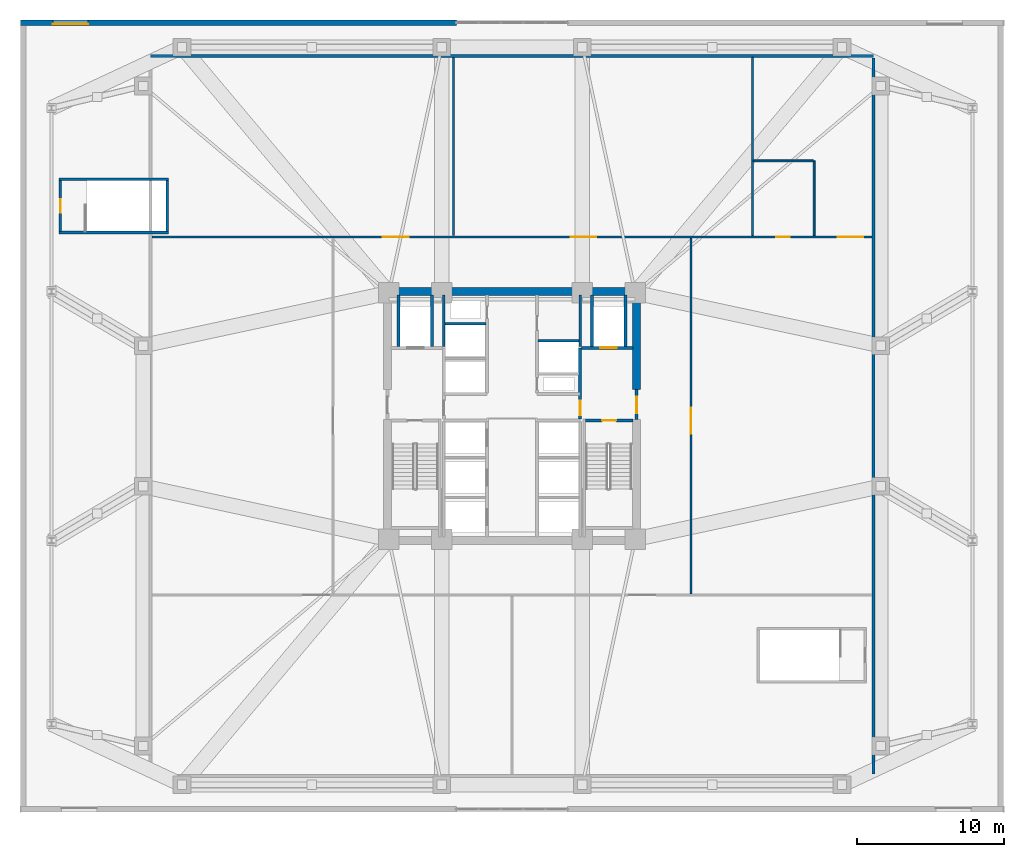
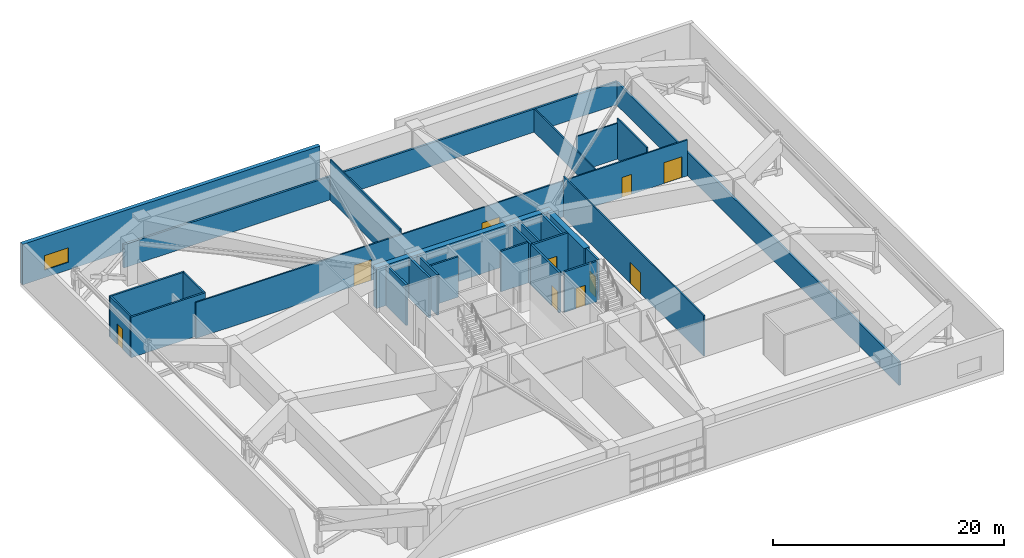
# One storey, part 12 of 19: 27 walls, 10 doors, 1 window, 11 openings.
"""IFC4 building model written with IfcOpenShell, lengths in metres."""

from ifc_helpers import new_model, si_unit, direction, frame, frame_2d, origin, place, context, subcontext, project, spatial, rectangle, extrude, material, layer, layer_set, type_object, element, fill, save


model = new_model("IFC4")

# Units and contexts
model_context = context("Model", 3, precision=1e-05, world=origin(), true_north=direction((0.0, 1.0)))
body_context = subcontext(model_context, "Body", "Model", "MODEL_VIEW")
ifc_project = project(units=[si_unit("LENGTHUNIT", "METRE"), si_unit("AREAUNIT", "SQUARE_METRE"), si_unit("VOLUMEUNIT", "CUBIC_METRE"), si_unit("PLANEANGLEUNIT", "RADIAN"), si_unit("MASSUNIT", "GRAM", prefix="KILO")], contexts=[model_context])

# Site, building, storey
site_placement = place(None, origin())
site = spatial("IfcSite", under=ifc_project, at=site_placement, CompositionType="ELEMENT")
building_placement = place(site_placement, origin())
building = spatial("IfcBuilding", under=site, at=building_placement, Name="Cairnveth Concourse Tower", CompositionType="ELEMENT")
storey_placement = place(building_placement, frame((0.0, 0.0, 19.0)))
storey = spatial("IfcBuildingStorey", under=building, at=storey_placement, Name="L04", CompositionType="ELEMENT", Elevation=19.0)

# Walls
ifc_material_1 = material(Name="Concrete N80 (80 MPa)", Category="concrete")
ifc_layer_1 = layer(ifc_material_1, 0.550048828125)
ifc_layer_set_1 = layer_set([ifc_layer_1], Name="Concrete N80 (80 MPa)")
wall_type_1 = type_object("IfcWallType", Name="CORE SHEAR WALL 550", PredefinedType="SHEAR", material=ifc_layer_set_1)
wall_1_placement = place(storey_placement, frame((43.22509765625, 47.5, 0.0), z_axis=(0.0, 0.0, 1.0), x_axis=(1.0, 0.0, 0.0)))
element("IfcWall", 1, at=wall_1_placement, inside=storey, type_object=wall_type_1, Name="Core North Shear Wall L04", PredefinedType="SHEAR", context=body_context, shape_type="SweptSolid", body=[
    extrude(rectangle(XDim=17.5498046875, YDim=0.550048828125, at=frame_2d((8.77490234375, 0.0))), origin(), (0.0, 0.0, 1.0), 4.280029296875),
])
wall_2_placement = place(storey_placement, frame((60.5, 40.800048828125, 0.0), z_axis=(0.0, 0.0, 1.0), x_axis=(0.0, 1.0, 0.0)))
element("IfcWall", 2, at=wall_2_placement, inside=storey, type_object=wall_type_1, Name="Core East Shear Wall N L04", PredefinedType="SHEAR", context=body_context, shape_type="SweptSolid", body=[
    extrude(rectangle(XDim=6.43505859375, YDim=0.550048828125, at=frame_2d((3.217529296875, 0.0))), origin(), (0.0, 0.0, 1.0), 4.280029296875),
])
ifc_material_2 = material(Name="Concrete N50 (50 MPa)", Category="concrete")
ifc_layer_2 = layer(ifc_material_2, 0.179931640625)
ifc_layer_set_2 = layer_set([ifc_layer_2], Name="Concrete N50 (50 MPa)")
wall_type_2 = type_object("IfcWallType", Name="FIRE SHAFT WALL 180", PredefinedType="SOLIDWALL", material=ifc_layer_set_2)
wall_3_placement = place(storey_placement, frame((47.35009765625, 43.735107421875, 0.0), z_axis=(0.0, 0.0, 1.0), x_axis=(0.0, 1.0, 0.0)))
element("IfcWall", 3, at=wall_3_placement, inside=storey, type_object=wall_type_2, Name="Interior Wall IW-L04-031", PredefinedType="SOLIDWALL", context=body_context, shape_type="SweptSolid", body=[
    extrude(rectangle(XDim=3.5048828125, YDim=0.179931640625, at=frame_2d((1.75244140625, 0.0))), origin(), (0.0, 0.0, 1.0), 4.280029296875),
])
wall_4_placement = place(storey_placement, frame((47.425048828125, 45.280029296875, 0.0), z_axis=(0.0, 0.0, 1.0), x_axis=(1.0, 0.0, 0.0)))
element("IfcWall", 4, at=wall_4_placement, inside=storey, type_object=wall_type_2, Name="Interior Wall IW-L04-033", PredefinedType="SOLIDWALL", context=body_context, shape_type="SweptSolid", body=[
    extrude(rectangle(XDim=2.7900390625, YDim=0.179931640625, at=frame_2d((1.39501953125, 0.0))), origin(), (0.0, 0.0, 1.0), 4.280029296875),
])
wall_5_placement = place(storey_placement, frame((56.64990234375, 43.735107421875, 0.0), z_axis=(0.0, 0.0, 1.0), x_axis=(0.0, 1.0, 0.0)))
element("IfcWall", 5, at=wall_5_placement, inside=storey, type_object=wall_type_2, Name="Interior Wall IW-L04-034", PredefinedType="SOLIDWALL", context=body_context, shape_type="SweptSolid", body=[
    extrude(rectangle(XDim=3.5048828125, YDim=0.179931640625, at=frame_2d((1.75244140625, 0.0))), origin(), (0.0, 0.0, 1.0), 4.280029296875),
])
wall_6_placement = place(storey_placement, frame((53.784912109375, 44.1201171875, 0.0), z_axis=(0.0, 0.0, 1.0), x_axis=(1.0, 0.0, 0.0)))
element("IfcWall", 6, at=wall_6_placement, inside=storey, type_object=wall_type_2, Name="Interior Wall IW-L04-036", PredefinedType="SOLIDWALL", context=body_context, shape_type="SweptSolid", body=[
    extrude(rectangle(XDim=2.7900390625, YDim=0.179931640625, at=frame_2d((1.39501953125, 0.0))), origin(), (0.0, 0.0, 1.0), 4.280029296875),
])

# Wall, opening, door
wall_7_placement = place(storey_placement, frame((57.0048828125, 38.68994140625, 0.0), z_axis=(0.0, 0.0, 1.0), x_axis=(1.0, 0.0, 0.0)))
wall_7 = element("IfcWall", 7, at=wall_7_placement, inside=storey, type_object=wall_type_2, Name="Stair ST-2 Shaft Wall NEAR L04", PredefinedType="SOLIDWALL", context=body_context, shape_type="SweptSolid", body=[
    extrude(rectangle(XDim=3.230224609375, YDim=0.179931640625, at=frame_2d((1.615234375, 0.0))), origin(), (0.0, 0.0, 1.0), 4.280029296875),
])
opening_1_placement = place(wall_7_placement, frame((1.139892578125, 0.0, 0.0)))
opening_1 = element("IfcOpeningElement", 8, at=opening_1_placement, cuts=wall_7, Name="Opening ID12", PredefinedType="OPENING", context=body_context, shape_type="SweptSolid", body=[
    extrude(rectangle(XDim=0.949951171875, YDim=2.14990234375, at=frame_2d((0.47509765625, 1.074951171875))), frame((0.0, 0.099853515625, 0.0), z_axis=(0.0, -1.0, 0.0), x_axis=(1.0, 0.0, 0.0)), (0.0, 0.0, 1.0), 0.199951171875),
])
ifc_material_3 = material(Name="Steel Grade 350", Category="steel")
door_type_1 = type_object("IfcDoorType", Name="FIRE STAIR DOOR 950X2150", OperationType="NOTDEFINED", PredefinedType="DOOR", material=ifc_material_3)
door_1_placement = place(opening_1_placement, origin())
door_1 = element("IfcDoor", 9, at=door_1_placement, inside=storey, type_object=door_type_1, Name="Stair ST-2 Fire Door L04", OperationType="SINGLE_SWING_RIGHT", OverallHeight=2.14990234375, OverallWidth=0.949951171875, PredefinedType="DOOR", context=body_context, shape_type="SweptSolid", body=[
    extrude(rectangle(XDim=0.949951171875, YDim=2.14990234375, at=frame_2d((0.47509765625, 1.074951171875))), frame((0.0, 0.02490234375, 0.0), z_axis=(0.0, -1.0, 0.0), x_axis=(1.0, 0.0, 0.0)), (0.0, 0.0, 1.0), 0.050048828125),
])
fill(opening_1, door_1)

wall_8_placement = place(storey_placement, frame((21.2099609375, 51.5849609375, 0.0), z_axis=(0.0, 0.0, 1.0), x_axis=(0.0, 1.0, 0.0)))
wall_8 = element("IfcWall", 10, at=wall_8_placement, inside=storey, type_object=wall_type_2, Name="Stair ST-P1 Shaft Wall NEAR L04", PredefinedType="SOLIDWALL", context=body_context, shape_type="SweptSolid", body=[
    extrude(rectangle(XDim=3.469970703125, YDim=0.179931640625, at=frame_2d((1.73486328125, 0.0))), origin(), (0.0, 0.0, 1.0), 4.280029296875),
])
opening_2_placement = place(wall_8_placement, frame((1.260009765625, 0.0, 0.0)))
opening_2 = element("IfcOpeningElement", 11, at=opening_2_placement, cuts=wall_8, Name="Opening ID12", PredefinedType="OPENING", context=body_context, shape_type="SweptSolid", body=[
    extrude(rectangle(XDim=0.949951171875, YDim=2.14990234375, at=frame_2d((0.47509765625, 1.074951171875))), frame((0.0, 0.099853515625, 0.0), z_axis=(0.0, -1.0, 0.0), x_axis=(1.0, 0.0, 0.0)), (0.0, 0.0, 1.0), 0.199951171875),
])
door_2_placement = place(opening_2_placement, origin())
door_2 = element("IfcDoor", 12, at=door_2_placement, inside=storey, type_object=door_type_1, Name="Stair ST-P1 Fire Door L04", OperationType="SINGLE_SWING_LEFT", OverallHeight=2.14990234375, OverallWidth=0.949951171875, PredefinedType="DOOR", context=body_context, shape_type="SweptSolid", body=[
    extrude(rectangle(XDim=0.949951171875, YDim=2.14990234375, at=frame_2d((0.47509765625, 1.074951171875))), frame((0.0, 0.02490234375, 0.0), z_axis=(0.0, -1.0, 0.0), x_axis=(1.0, 0.0, 0.0)), (0.0, 0.0, 1.0), 0.050048828125),
])
fill(opening_2, door_2)

# Walls
wall_9_placement = place(storey_placement, frame((28.489990234375, 51.5849609375, 0.0), z_axis=(0.0, 0.0, 1.0), x_axis=(0.0, 1.0, 0.0)))
element("IfcWall", 13, at=wall_9_placement, inside=storey, type_object=wall_type_2, Name="Stair ST-P1 Shaft Wall FAR L04", PredefinedType="SOLIDWALL", context=body_context, shape_type="SweptSolid", body=[
    extrude(rectangle(XDim=3.469970703125, YDim=0.179931640625, at=frame_2d((1.73486328125, 0.0))), origin(), (0.0, 0.0, 1.0), 4.280029296875),
])
for number, where, z_axis, x_axis, name in (
    (14, (21.1201171875, 51.510009765625, 0.0), (0.0, 0.0, 1.0), (1.0, 0.0, 0.0), "Stair ST-P1 Shaft Wall LEFT L04"),
    (15, (21.1201171875, 55.1298828125, 0.0), (0.0, 0.0, 1.0), (1.0, 0.0, 0.0), "Stair ST-P1 Shaft Wall RGHT L04"),
):
    element("IfcWall", number, at=place(storey_placement, frame(where, z_axis=z_axis, x_axis=x_axis)), inside=storey, type_object=wall_type_2, Name=name, PredefinedType="SOLIDWALL", context=body_context, shape_type="SweptSolid", body=[
        extrude(rectangle(XDim=7.4599609375, YDim=0.179931640625, at=frame_2d((3.72998046875, 0.0))), origin(), (0.0, 0.0, 1.0), 4.280029296875),
    ])
ifc_layer_3 = layer(ifc_material_2, 0.199951171875)
ifc_layer_set_3 = layer_set([ifc_layer_3], Name="Concrete N50 (50 MPa)")
wall_type_3 = type_object("IfcWallType", Name="FIRE SHAFT WALL 200", PredefinedType="SOLIDWALL", material=ifc_layer_set_3)
for number, where, z_axis, x_axis, name in (
    (16, (46.550048828125, 43.735107421875, 0.0), (0.0, 0.0, 1.0), (0.0, 1.0, 0.0), "Interior Wall IW-L04-018"),
    (17, (44.25, 43.735107421875, 0.0), (0.0, 0.0, 1.0), (0.0, 1.0, 0.0), "Interior Wall IW-L04-019"),
):
    element("IfcWall", number, at=place(storey_placement, frame(where, z_axis=z_axis, x_axis=x_axis)), inside=storey, type_object=wall_type_3, Name=name, PredefinedType="SOLIDWALL", context=body_context, shape_type="SweptSolid", body=[
        extrude(rectangle(XDim=3.5048828125, YDim=0.199951171875, at=frame_2d((1.75244140625, 0.0))), origin(), (0.0, 0.0, 1.0), 4.280029296875),
    ])

# Wall, opening, door
wall_10_placement = place(storey_placement, frame((60.5, 38.75, 0.0), z_axis=(0.0, 0.0, 1.0), x_axis=(0.0, 1.0, 0.0)))
wall_10 = element("IfcWall", 18, at=wall_10_placement, inside=storey, type_object=wall_type_3, Name="Interior Wall IW-L04-020", PredefinedType="SOLIDWALL", context=body_context, shape_type="SweptSolid", body=[
    extrude(rectangle(XDim=2.050048828125, YDim=0.199951171875, at=frame_2d((1.02490234375, 0.0))), origin(), (0.0, 0.0, 1.0), 4.280029296875),
])
opening_3_placement = place(wall_10_placement, frame((0.449951171875, 0.0, 0.0)))
opening_3 = element("IfcOpeningElement", 19, at=opening_3_placement, cuts=wall_10, Name="Opening ID06", PredefinedType="OPENING", context=body_context, shape_type="SweptSolid", body=[
    extrude(rectangle(XDim=1.10009765625, YDim=2.14990234375, at=frame_2d((0.550048828125, 1.074951171875))), frame((0.0, 0.10986328125, 0.0), z_axis=(0.0, -1.0, 0.0), x_axis=(1.0, 0.0, 0.0)), (0.0, 0.0, 1.0), 0.219970703125),
])
door_type_2 = type_object("IfcDoorType", Name="FIRE CORRIDOR DOOR 1100X2150", OperationType="NOTDEFINED", PredefinedType="DOOR", material=ifc_material_3)
door_3_placement = place(opening_3_placement, origin())
door_3 = element("IfcDoor", 20, at=door_3_placement, inside=storey, type_object=door_type_2, Name="East Wing to FF Lobby Door L04", OperationType="SINGLE_SWING_RIGHT", OverallHeight=2.14990234375, OverallWidth=1.10009765625, PredefinedType="DOOR", context=body_context, shape_type="SweptSolid", body=[
    extrude(rectangle(XDim=1.10009765625, YDim=2.14990234375, at=frame_2d((0.550048828125, 1.074951171875))), frame((0.0, 0.02490234375, 0.0), z_axis=(0.0, -1.0, 0.0), x_axis=(1.0, 0.0, 0.0)), (0.0, 0.0, 1.0), 0.050048828125),
])
fill(opening_3, door_3)

wall_11_placement = place(storey_placement, frame((56.64990234375, 38.784912109375, 0.0), z_axis=(0.0, 0.0, 1.0), x_axis=(0.0, 1.0, 0.0)))
wall_11 = element("IfcWall", 21, at=wall_11_placement, inside=storey, type_object=wall_type_3, Name="Interior Wall IW-L04-021", PredefinedType="SOLIDWALL", context=body_context, shape_type="SweptSolid", body=[
    extrude(rectangle(XDim=4.864990234375, YDim=0.199951171875, at=frame_2d((2.4326171875, 0.0))), origin(), (0.0, 0.0, 1.0), 4.280029296875),
])
opening_4_placement = place(wall_11_placement, frame((0.264892578125, 0.0, 0.0)))
opening_4 = element("IfcOpeningElement", 22, at=opening_4_placement, cuts=wall_11, Name="Opening ID07", PredefinedType="OPENING", context=body_context, shape_type="SweptSolid", body=[
    extrude(rectangle(XDim=1.0, YDim=2.14990234375, at=frame_2d((0.5, 1.074951171875))), frame((0.0, 0.10986328125, 0.0), z_axis=(0.0, -1.0, 0.0), x_axis=(1.0, 0.0, 0.0)), (0.0, 0.0, 1.0), 0.219970703125),
])
door_type_3 = type_object("IfcDoorType", Name="FIRE CORRIDOR DOOR 1000X2150", OperationType="NOTDEFINED", PredefinedType="DOOR", material=ifc_material_3)
door_4_placement = place(opening_4_placement, origin())
door_4 = element("IfcDoor", 23, at=door_4_placement, inside=storey, type_object=door_type_3, Name="FF Lobby East to Lift Lobby Door L04", OperationType="SINGLE_SWING_LEFT", OverallHeight=2.14990234375, OverallWidth=1.0, PredefinedType="DOOR", context=body_context, shape_type="SweptSolid", body=[
    extrude(rectangle(XDim=1.0, YDim=2.14990234375, at=frame_2d((0.5, 1.074951171875))), frame((0.0, 0.02490234375, 0.0), z_axis=(0.0, -1.0, 0.0), x_axis=(1.0, 0.0, 0.0)), (0.0, 0.0, 1.0), 0.050048828125),
])
fill(opening_4, door_4)

wall_12_placement = place(storey_placement, frame((56.735107421875, 43.64990234375, 0.0), z_axis=(0.0, 0.0, 1.0), x_axis=(1.0, 0.0, 0.0)))
wall_12 = element("IfcWall", 24, at=wall_12_placement, inside=storey, type_object=wall_type_3, Name="Interior Wall IW-L04-022", PredefinedType="SOLIDWALL", context=body_context, shape_type="SweptSolid", body=[
    extrude(rectangle(XDim=3.5048828125, YDim=0.199951171875, at=frame_2d((1.75244140625, 0.0))), origin(), (0.0, 0.0, 1.0), 4.280029296875),
])
opening_5_placement = place(wall_12_placement, frame((1.294921875, 0.0, 0.0)))
opening_5 = element("IfcOpeningElement", 25, at=opening_5_placement, cuts=wall_12, Name="Opening LD-1", PredefinedType="OPENING", context=body_context, shape_type="SweptSolid", body=[
    extrude(rectangle(XDim=1.10009765625, YDim=2.199951171875, at=frame_2d((0.550048828125, 1.10009765625))), frame((0.0, 0.10986328125, 0.0), z_axis=(0.0, -1.0, 0.0), x_axis=(1.0, 0.0, 0.0)), (0.0, 0.0, 1.0), 0.219970703125),
])
ifc_material_4 = material(Name="Architectural Bronze Anodised Aluminium 6063-T6", Category="aluminium")
door_type_4 = type_object("IfcDoorType", Name="LIFT LANDING DOOR 1100X2200", OperationType="SLIDING_TO_LEFT", PredefinedType="DOOR", material=ifc_material_4)
door_5_placement = place(opening_5_placement, origin())
door_5 = element("IfcDoor", 26, at=door_5_placement, inside=storey, type_object=door_type_4, Name="Lift FFL2 Landing Door L04", OperationType="SLIDING_TO_LEFT", OverallHeight=2.199951171875, OverallWidth=1.10009765625, PredefinedType="DOOR", context=body_context, shape_type="SweptSolid", body=[
    extrude(rectangle(XDim=1.10009765625, YDim=2.199951171875, at=frame_2d((0.550048828125, 1.10009765625))), frame((0.0, 0.02490234375, 0.0), z_axis=(0.0, -1.0, 0.0), x_axis=(1.0, 0.0, 0.0)), (0.0, 0.0, 1.0), 0.050048828125),
])
fill(opening_5, door_5)

# Walls
for number, where, z_axis, x_axis, name in (
    (27, (57.449951171875, 43.735107421875, 0.0), (0.0, 0.0, 1.0), (0.0, 1.0, 0.0), "Interior Wall IW-L04-023"),
    (28, (59.75, 43.735107421875, 0.0), (0.0, 0.0, 1.0), (0.0, 1.0, 0.0), "Interior Wall IW-L04-024"),
):
    element("IfcWall", number, at=place(storey_placement, frame(where, z_axis=z_axis, x_axis=x_axis)), inside=storey, type_object=wall_type_3, Name=name, PredefinedType="SOLIDWALL", context=body_context, shape_type="SweptSolid", body=[
        extrude(rectangle(XDim=3.5048828125, YDim=0.199951171875, at=frame_2d((1.75244140625, 0.0))), origin(), (0.0, 0.0, 1.0), 4.280029296875),
    ])
wall_13_placement = place(storey_placement, frame((27.35009765625, 63.550048828125, 0.0), z_axis=(0.0, 0.0, 1.0), x_axis=(1.0, 0.0, 0.0)))
element("IfcWall", 29, at=wall_13_placement, inside=storey, type_object=wall_type_3, Name="L04 North Transfer Truss Plenum Wall", PredefinedType="SOLIDWALL", context=body_context, shape_type="SweptSolid", body=[
    extrude(rectangle(XDim=49.2998046875, YDim=0.199951171875, at=frame_2d((24.64990234375, 0.0))), origin(), (0.0, 0.0, 1.0), 2.455078125),
])
wall_14_placement = place(storey_placement, frame((76.64990234375, 14.60009765625, 0.0), z_axis=(0.0, 0.0, 1.0), x_axis=(0.0, 1.0, 0.0)))
element("IfcWall", 30, at=wall_14_placement, inside=storey, type_object=wall_type_3, Name="L04 East Transfer Truss Plenum Wall", PredefinedType="SOLIDWALL", context=body_context, shape_type="SweptSolid", body=[
    extrude(rectangle(XDim=48.7998046875, YDim=0.199951171875, at=frame_2d((24.39990234375, 0.0))), origin(), (0.0, 0.0, 1.0), 2.455078125),
])

# Wall, openings, doors
ifc_material_5 = material(Name="Gypsum Plasterboard Partition", Category="gypsum")
ifc_layer_4 = layer(ifc_material_5, 0.139892578125)
ifc_layer_set_4 = layer_set([ifc_layer_4], Name="Gypsum Plasterboard Partition")
wall_type_4 = type_object("IfcWallType", Name="GYPSUM STUD PARTITION 140", PredefinedType="PARTITIONING", material=ifc_layer_set_4)
wall_15_placement = place(storey_placement, frame((27.449951171875, 51.199951171875, 0.0), z_axis=(0.0, 0.0, 1.0), x_axis=(1.0, 0.0, 0.0)))
wall_15 = element("IfcWall", 31, at=wall_15_placement, inside=storey, type_object=wall_type_4, Name="Interior Wall IW-L04-042", PredefinedType="PARTITIONING", context=body_context, shape_type="SweptSolid", body=[
    extrude(rectangle(XDim=49.10009765625, YDim=0.139892578125, at=frame_2d((24.550048828125, 0.0))), origin(), (0.0, 0.0, 1.0), 3.798095703125),
])
opening_6_placement = place(wall_15_placement, frame((15.75, 0.0, 0.0)))
opening_6 = element("IfcOpeningElement", 32, at=opening_6_placement, cuts=wall_15, Name="Opening ID27", PredefinedType="OPENING", context=body_context, shape_type="SweptSolid", body=[
    extrude(rectangle(XDim=1.760009765625, YDim=2.199951171875, at=frame_2d((0.8798828125, 1.10009765625))), frame((0.0, 0.079833984375, 0.0), z_axis=(0.0, -1.0, 0.0), x_axis=(1.0, 0.0, 0.0)), (0.0, 0.0, 1.0), 0.159912109375),
])
opening_7_placement = place(wall_15_placement, frame((28.550048828125, 0.0, 0.0)))
opening_7 = element("IfcOpeningElement", 33, at=opening_7_placement, cuts=wall_15, Name="Opening ID27", PredefinedType="OPENING", context=body_context, shape_type="SweptSolid", body=[
    extrude(rectangle(XDim=1.760009765625, YDim=2.199951171875, at=frame_2d((0.8798828125, 1.10009765625))), frame((0.0, 0.079833984375, 0.0), z_axis=(0.0, -1.0, 0.0), x_axis=(1.0, 0.0, 0.0)), (0.0, 0.0, 1.0), 0.159912109375),
])
opening_8_placement = place(wall_15_placement, frame((42.550048828125, 0.0, 0.0)))
opening_8 = element("IfcOpeningElement", 34, at=opening_8_placement, cuts=wall_15, Name="Opening ID13", PredefinedType="OPENING", context=body_context, shape_type="SweptSolid", body=[
    extrude(rectangle(XDim=0.949951171875, YDim=2.10009765625, at=frame_2d((0.47509765625, 1.050048828125))), frame((0.0, 0.079833984375, 0.0), z_axis=(0.0, -1.0, 0.0), x_axis=(1.0, 0.0, 0.0)), (0.0, 0.0, 1.0), 0.159912109375),
])
opening_9_placement = place(wall_15_placement, frame((46.75, 0.0, 0.0)))
opening_9 = element("IfcOpeningElement", 35, at=opening_9_placement, cuts=wall_15, Name="Opening ID27", PredefinedType="OPENING", context=body_context, shape_type="SweptSolid", body=[
    extrude(rectangle(XDim=1.760009765625, YDim=2.199951171875, at=frame_2d((0.8798828125, 1.10009765625))), frame((0.0, 0.079833984375, 0.0), z_axis=(0.0, -1.0, 0.0), x_axis=(1.0, 0.0, 0.0)), (0.0, 0.0, 1.0), 0.159912109375),
])
ifc_material_6 = material(Name="Solid Core Hardwood Timber Leaf", Category="wood")
door_type_5 = type_object("IfcDoorType", Name="ACCESSIBLE WC DOOR 950X2100", OperationType="NOTDEFINED", PredefinedType="DOOR", material=ifc_material_6)
door_6_placement = place(opening_8_placement, origin())
door_6 = element("IfcDoor", 36, at=door_6_placement, inside=storey, type_object=door_type_5, Name="Interior Door DR-L04-017", OperationType="SINGLE_SWING_LEFT", OverallHeight=2.10009765625, OverallWidth=0.949951171875, PredefinedType="DOOR", context=body_context, shape_type="SweptSolid", body=[
    extrude(rectangle(XDim=0.949951171875, YDim=2.10009765625, at=frame_2d((0.47509765625, 1.050048828125))), frame((0.0, 0.02490234375, 0.0), z_axis=(0.0, -1.0, 0.0), x_axis=(1.0, 0.0, 0.0)), (0.0, 0.0, 1.0), 0.050048828125),
])
fill(opening_8, door_6)
door_type_6 = type_object("IfcDoorType", Name="CONCOURSE DOUBLE DOOR 1760X2200", OperationType="DOUBLE_DOOR_SINGLE_SWING", PredefinedType="DOOR", material=ifc_material_6)
door_7_placement = place(opening_6_placement, origin())
door_7 = element("IfcDoor", 37, at=door_7_placement, inside=storey, type_object=door_type_6, Name="Interior Door DR-L04-015", OperationType="DOUBLE_DOOR_SINGLE_SWING", OverallHeight=2.199951171875, OverallWidth=1.760009765625, PredefinedType="DOOR", context=body_context, shape_type="SweptSolid", body=[
    extrude(rectangle(XDim=1.760009765625, YDim=2.199951171875, at=frame_2d((0.8798828125, 1.10009765625))), frame((0.0, 0.02490234375, 0.0), z_axis=(0.0, -1.0, 0.0), x_axis=(1.0, 0.0, 0.0)), (0.0, 0.0, 1.0), 0.050048828125),
])
fill(opening_6, door_7)
door_8_placement = place(opening_7_placement, origin())
door_8 = element("IfcDoor", 38, at=door_8_placement, inside=storey, type_object=door_type_6, Name="Interior Door DR-L04-016", OperationType="DOUBLE_DOOR_SINGLE_SWING", OverallHeight=2.199951171875, OverallWidth=1.760009765625, PredefinedType="DOOR", context=body_context, shape_type="SweptSolid", body=[
    extrude(rectangle(XDim=1.760009765625, YDim=2.199951171875, at=frame_2d((0.8798828125, 1.10009765625))), frame((0.0, 0.02490234375, 0.0), z_axis=(0.0, -1.0, 0.0), x_axis=(1.0, 0.0, 0.0)), (0.0, 0.0, 1.0), 0.050048828125),
])
fill(opening_7, door_8)
door_9_placement = place(opening_9_placement, origin())
door_9 = element("IfcDoor", 39, at=door_9_placement, inside=storey, type_object=door_type_6, Name="Interior Door DR-L04-018", OperationType="DOUBLE_DOOR_SINGLE_SWING", OverallHeight=2.199951171875, OverallWidth=1.760009765625, PredefinedType="DOOR", context=body_context, shape_type="SweptSolid", body=[
    extrude(rectangle(XDim=1.760009765625, YDim=2.199951171875, at=frame_2d((0.8798828125, 1.10009765625))), frame((0.0, 0.02490234375, 0.0), z_axis=(0.0, -1.0, 0.0), x_axis=(1.0, 0.0, 0.0)), (0.0, 0.0, 1.0), 0.050048828125),
])
fill(opening_9, door_9)

# Wall, opening, door
wall_16_placement = place(storey_placement, frame((64.199951171875, 26.85498046875, 0.0), z_axis=(0.0, 0.0, 1.0), x_axis=(0.0, 1.0, 0.0)))
wall_16 = element("IfcWall", 40, at=wall_16_placement, inside=storey, type_object=wall_type_4, Name="Interior Wall IW-L04-044", PredefinedType="PARTITIONING", context=body_context, shape_type="SweptSolid", body=[
    extrude(rectangle(XDim=24.2900390625, YDim=0.139892578125, at=frame_2d((12.14501953125, 0.0))), origin(), (0.0, 0.0, 1.0), 4.280029296875),
])
opening_10_placement = place(wall_16_placement, frame((10.945068359375, 0.0, 0.0)))
opening_10 = element("IfcOpeningElement", 41, at=opening_10_placement, cuts=wall_16, Name="Opening ID27", PredefinedType="OPENING", context=body_context, shape_type="SweptSolid", body=[
    extrude(rectangle(XDim=1.760009765625, YDim=2.199951171875, at=frame_2d((0.8798828125, 1.10009765625))), frame((0.0, 0.079833984375, 0.0), z_axis=(0.0, -1.0, 0.0), x_axis=(1.0, 0.0, 0.0)), (0.0, 0.0, 1.0), 0.159912109375),
])
door_10_placement = place(opening_10_placement, origin())
door_10 = element("IfcDoor", 42, at=door_10_placement, inside=storey, type_object=door_type_6, Name="Interior Door DR-L04-020", OperationType="DOUBLE_DOOR_SINGLE_SWING", OverallHeight=2.199951171875, OverallWidth=1.760009765625, PredefinedType="DOOR", context=body_context, shape_type="SweptSolid", body=[
    extrude(rectangle(XDim=1.760009765625, YDim=2.199951171875, at=frame_2d((0.8798828125, 1.10009765625))), frame((0.0, 0.02490234375, 0.0), z_axis=(0.0, -1.0, 0.0), x_axis=(1.0, 0.0, 0.0)), (0.0, 0.0, 1.0), 0.050048828125),
])
fill(opening_10, door_10)

# Wall
wall_17_placement = place(storey_placement, frame((48.0, 51.300048828125, 0.0), z_axis=(0.0, 0.0, 1.0), x_axis=(0.0, 1.0, 0.0)))
element("IfcWall", 43, at=wall_17_placement, inside=storey, type_object=wall_type_4, Name="Interior Wall IW-L04-046", PredefinedType="PARTITIONING", context=body_context, shape_type="SweptSolid", body=[
    extrude(rectangle(XDim=12.14990234375, YDim=0.139892578125, at=frame_2d((6.074951171875, 0.0))), origin(), (0.0, 0.0, 1.0), 4.280029296875),
])

# Wall, opening, window
ifc_material_7 = material(Name="Hawthorn Red-Ochre Fired Clay Brick Masonry", Category="masonry")
ifc_layer_5 = layer(ifc_material_7, 0.3798828125)
ifc_layer_set_5 = layer_set([ifc_layer_5], Name="Hawthorn Red-Ochre Fired Clay Brick Masonry")
wall_type_5 = type_object("IfcWallType", Name="UPPER PODIUM BRICK WALL 380", PredefinedType="SOLIDWALL", material=ifc_layer_set_5)
wall_18_placement = place(storey_placement, frame((18.5, 65.81005859375, 0.0), z_axis=(0.0, 0.0, 1.0), x_axis=(1.0, 0.0, 0.0)))
wall_18 = element("IfcWall", 44, at=wall_18_placement, inside=storey, type_object=wall_type_5, Name="Exterior Wall EW-L04-NW", PredefinedType="SOLIDWALL", context=body_context, shape_type="SweptSolid", body=[
    extrude(rectangle(XDim=29.699951171875, YDim=0.3798828125, at=frame_2d((14.85009765625, 0.0))), origin(), (0.0, 0.0, 1.0), 4.280029296875),
])
opening_11_placement = place(wall_18_placement, frame((2.199951171875, 0.0, 0.800048828125)))
opening_11 = element("IfcOpeningElement", 45, at=opening_11_placement, cuts=wall_18, Name="Opening W11", PredefinedType="OPENING", context=body_context, shape_type="SweptSolid", body=[
    extrude(rectangle(XDim=2.39990234375, YDim=1.530029296875, at=frame_2d((1.199951171875, 0.76513671875))), frame((0.0, 0.199951171875, 0.0), z_axis=(0.0, -1.0, 0.0), x_axis=(1.0, 0.0, 0.0)), (0.0, 0.0, 1.0), 0.39990234375),
])
ifc_material_8 = material(Name="Double Glazed Low-E Clear Glass", Category="glass")
window_type = type_object("IfcWindowType", Name="DEEP-SET PODIUM CLERESTORY WINDOW 2400X1600", PartitioningType="DOUBLE_PANEL_VERTICAL", PredefinedType="WINDOW", material=ifc_material_8)
window_placement = place(opening_11_placement, origin())
window = element("IfcWindow", 46, at=window_placement, inside=storey, type_object=window_type, Name="WIN-L04-NW-1", OverallHeight=1.530029296875, OverallWidth=2.39990234375, PartitioningType="SINGLE_PANEL", PredefinedType="WINDOW", context=body_context, shape_type="SweptSolid", body=[
    extrude(rectangle(XDim=2.39990234375, YDim=1.530029296875, at=frame_2d((1.199951171875, 0.76513671875))), frame((0.0, -0.050048828125, 0.0), z_axis=(0.0, -1.0, 0.0), x_axis=(1.0, 0.0, 0.0)), (0.0, 0.0, 1.0), 0.06005859375),
])
fill(opening_11, window)

# Walls
ifc_layer_6 = layer(ifc_material_5, 0.1298828125)
ifc_layer_set_6 = layer_set([ifc_layer_6], Name="Gypsum Plasterboard Partition")
wall_type_6 = type_object("IfcWallType", Name="WET AREA PARTITION 140", PredefinedType="PLUMBINGWALL", material=ifc_layer_set_6)
wall_19_placement = place(storey_placement, frame((68.39990234375, 51.300048828125, 0.0), z_axis=(0.0, 0.0, 1.0), x_axis=(0.0, 1.0, 0.0)))
element("IfcWall", 47, at=wall_19_placement, inside=storey, type_object=wall_type_6, Name="Interior Wall IW-L04-047", PredefinedType="PLUMBINGWALL", context=body_context, shape_type="SweptSolid", body=[
    extrude(rectangle(XDim=12.14990234375, YDim=0.1298828125, at=frame_2d((6.074951171875, 0.0))), origin(), (0.0, 0.0, 1.0), 2.455078125),
])
wall_20_placement = place(storey_placement, frame((72.60009765625, 51.300048828125, 0.0), z_axis=(0.0, 0.0, 1.0), x_axis=(0.0, 1.0, 0.0)))
element("IfcWall", 48, at=wall_20_placement, inside=storey, type_object=wall_type_6, Name="Interior Wall IW-L04-048", PredefinedType="PLUMBINGWALL", context=body_context, shape_type="SweptSolid", body=[
    extrude(rectangle(XDim=5.099853515625, YDim=0.1298828125, at=frame_2d((2.5498046875, 0.0))), origin(), (0.0, 0.0, 1.0), 4.280029296875),
])
wall_21_placement = place(storey_placement, frame((68.449951171875, 56.39990234375, 0.0), z_axis=(0.0, 0.0, 1.0), x_axis=(1.0, 0.0, 0.0)))
element("IfcWall", 49, at=wall_21_placement, inside=storey, type_object=wall_type_6, Name="Interior Wall IW-L04-049", PredefinedType="PLUMBINGWALL", context=body_context, shape_type="SweptSolid", body=[
    extrude(rectangle(XDim=4.10009765625, YDim=0.1298828125, at=frame_2d((2.050048828125, 0.0))), origin(), (0.0, 0.0, 1.0), 3.798095703125),
])

save(model, "model.ifc")
